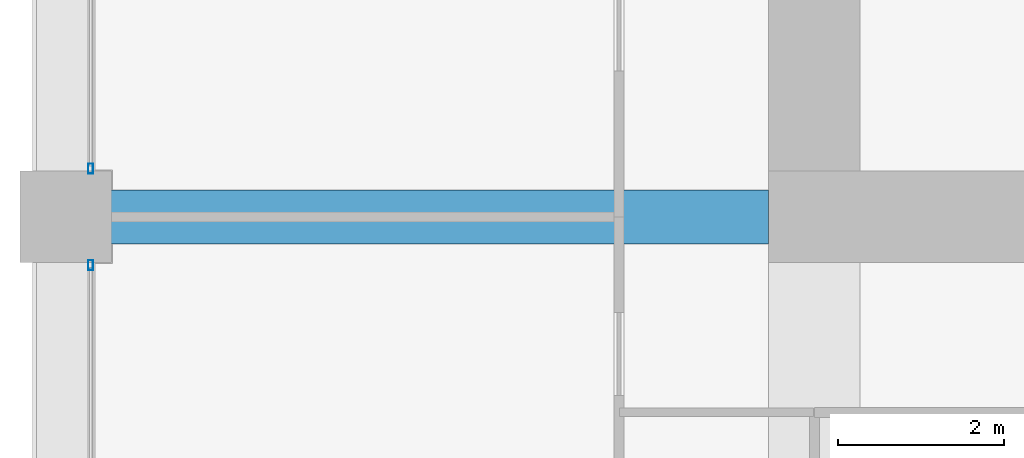
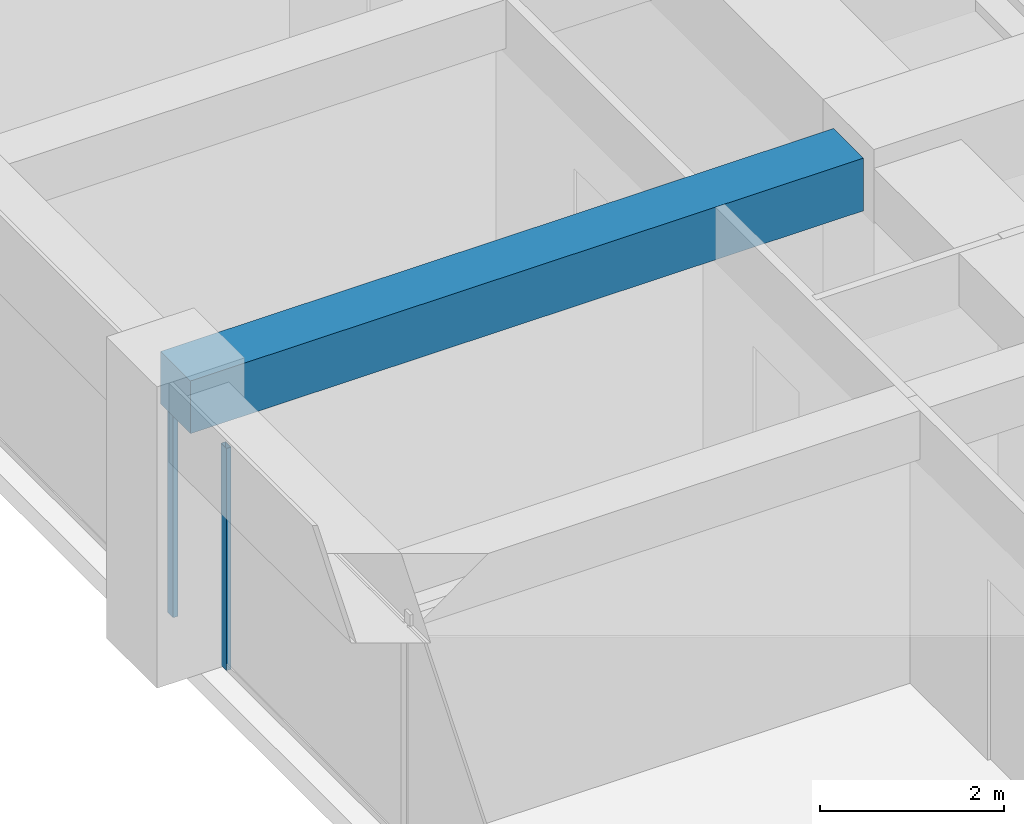
# One storey, part 13 of 44: 2 members, 1 beam, 2 elements without a shape of their own.
"""IFC4 building model written with IfcOpenShell, lengths in metres."""

from ifc_helpers import new_model, si_unit, direction, frame, origin, origin_2d, place, context, subcontext, project, spatial, rectangle, hollow_rectangle, extrude, material, material_profile, profile_set, type_object, element, aggregate, save


model = new_model("IFC4")

# Units and contexts
model_context = context("Model", 3, precision=1e-05, world=origin(), true_north=direction((0.0, 1.0)))
body_context = subcontext(model_context, "Body", "Model", "MODEL_VIEW")
ifc_project = project(units=[si_unit("LENGTHUNIT", "METRE"), si_unit("AREAUNIT", "SQUARE_METRE"), si_unit("VOLUMEUNIT", "CUBIC_METRE"), si_unit("PLANEANGLEUNIT", "RADIAN"), si_unit("MASSUNIT", "GRAM", prefix="KILO")], contexts=[model_context])

# Site, building, storey
site_placement = place(None, origin())
site = spatial("IfcSite", under=ifc_project, at=site_placement, CompositionType="ELEMENT")
building_placement = place(site_placement, origin())
building = spatial("IfcBuilding", under=site, at=building_placement, Name="Zorevar Civic Tower", CompositionType="ELEMENT")
storey_placement = place(building_placement, frame((0.0, 0.0, 287.39990234375)))
storey = spatial("IfcBuildingStorey", under=building, at=storey_placement, Name="L70", CompositionType="ELEMENT", Elevation=287.39990234375)

# Beam
ifc_material_1 = material(Name="Concrete C50/60", Category="concrete")
ifc_material_profile_1 = material_profile(ifc_material_1, rectangle(XDim=0.64990234375, YDim=0.699951171875, at=origin_2d()), Name="RC 650x700")
ifc_profile_set_1 = profile_set([ifc_material_profile_1], Name="Concrete C50/60")
beam_type = type_object("IfcBeamType", Name="Beam RC 650x700", PredefinedType="BEAM", material=ifc_profile_set_1)
beam_placement = place(storey_placement, frame((9.0, 18.0, 3.400146484375), z_axis=(1.0, 0.0, 0.0), x_axis=(0.0, 1.0, 0.0)))
element("IfcBeam", 1, at=beam_placement, inside=storey, type_object=beam_type, Name="Girder L71", PredefinedType="BEAM", context=body_context, shape_type="SweptSolid", body=[
    extrude(rectangle(XDim=0.64990234375, YDim=0.699951171875, at=origin_2d()), origin(), (0.0, 0.0, 1.0), 8.449951171875),
])

# Curtain wall, member
ifc_material_2 = material(Name="Dark grey solar-control glass in black aluminium frame", Category="aluminium")
curtain_wall_type = type_object("IfcCurtainWallType", Name="Curtain wall CW5 top zone", PredefinedType="NOTDEFINED", material=ifc_material_2)
curtain_wall_1_placement = place(storey_placement, origin())
curtain_wall_1 = element("IfcCurtainWall", 2, at=curtain_wall_1_placement, inside=storey, type_object=curtain_wall_type, Name="CW5 L70", PredefinedType="NOTDEFINED")
ifc_material_3 = material(Name="Aluminium, black anodised", Category="aluminium")
ifc_material_profile_2 = material_profile(ifc_material_3, hollow_rectangle(XDim=0.06005859375, YDim=0.1201171875, WallThickness=0.0029296875, at=origin_2d()), Name="AL 120x60x3")
ifc_profile_set_2 = profile_set([ifc_material_profile_2], Name="Aluminium, black anodised")
member_type = type_object("IfcMemberType", Name="CW5 mullion AL 120x60x3", PredefinedType="MULLION", material=ifc_profile_set_2)
member_1_placement = place(storey_placement, frame((9.300048828125, 17.419921875, 0.0), z_axis=(0.0, 0.0, 1.0), x_axis=(-1.0, 0.0, 0.0)))
member_1 = element("IfcMember", 3, at=member_1_placement, type_object=member_type, Name="CW5 mullion 3", PredefinedType="MULLION", context=body_context, shape_type="SweptSolid", body=[
    extrude(hollow_rectangle(XDim=0.06005859375, YDim=0.1201171875, WallThickness=0.0029296875, at=origin_2d()), origin(), (0.0, 0.0, 1.0), 2.9501953125),
])
aggregate(curtain_wall_1, [member_1])

curtain_wall_2_placement = place(storey_placement, origin())
curtain_wall_2 = element("IfcCurtainWall", 4, at=curtain_wall_2_placement, inside=storey, type_object=curtain_wall_type, Name="CW5 L70", PredefinedType="NOTDEFINED")
member_2_placement = place(storey_placement, frame((9.300048828125, 18.580078125, 0.0), z_axis=(0.0, 0.0, 1.0), x_axis=(-1.0, 0.0, 0.0)))
member_2 = element("IfcMember", 5, at=member_2_placement, type_object=member_type, Name="CW5 mullion 1", PredefinedType="MULLION", context=body_context, shape_type="SweptSolid", body=[
    extrude(hollow_rectangle(XDim=0.06005859375, YDim=0.1201171875, WallThickness=0.0029296875, at=origin_2d()), origin(), (0.0, 0.0, 1.0), 2.9501953125),
])
aggregate(curtain_wall_2, [member_2])

save(model, "model.ifc")
